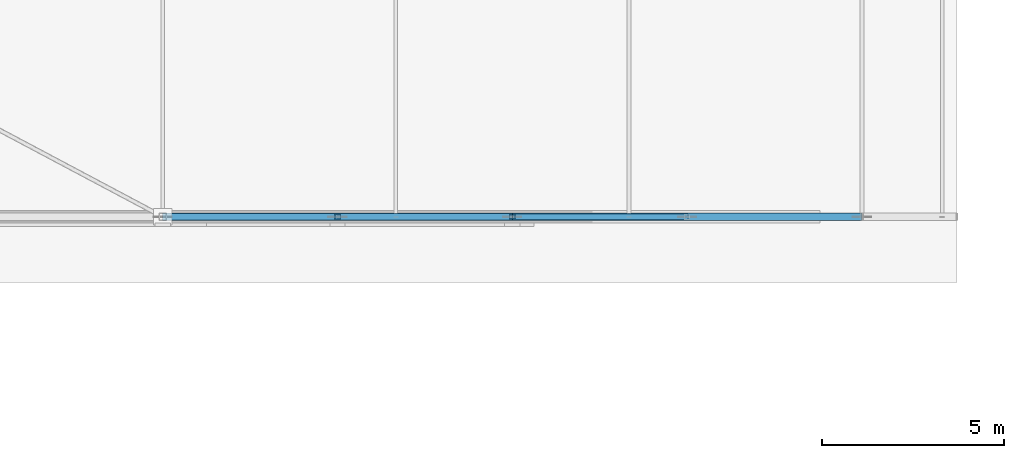
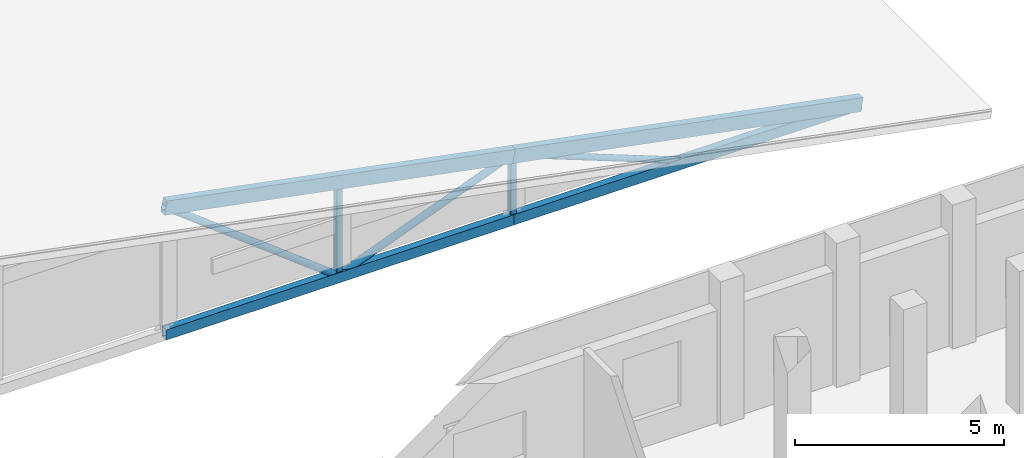
# One storey, part 28 of 200: 9 members.
"""IFC4 building model written with IfcOpenShell, lengths in metres."""

from ifc_helpers import new_model, si_unit, direction, frame, origin, origin_2d, place, context, subcontext, project, spatial, hollow_rectangle, hollow_circle, extrude, material, material_profile, profile_set, type_object, element, save


model = new_model("IFC4")

# Units and contexts
model_context = context("Model", 3, precision=1e-05, world=origin(), true_north=direction((0.0, 1.0)))
body_context = subcontext(model_context, "Body", "Model", "MODEL_VIEW")
ifc_project = project(units=[si_unit("LENGTHUNIT", "METRE"), si_unit("AREAUNIT", "SQUARE_METRE"), si_unit("VOLUMEUNIT", "CUBIC_METRE"), si_unit("PLANEANGLEUNIT", "RADIAN"), si_unit("MASSUNIT", "GRAM", prefix="KILO")], contexts=[model_context])

# Site, building, storey
site_placement = place(None, origin())
site = spatial("IfcSite", under=ifc_project, at=site_placement, CompositionType="ELEMENT")
building_placement = place(site_placement, origin())
building = spatial("IfcBuilding", under=site, at=building_placement, Name="Vondelvale Polytechnic", CompositionType="ELEMENT")
storey_placement = place(building_placement, frame((0.0, 0.0, 13.800048828125)))
storey = spatial("IfcBuildingStorey", under=building, at=storey_placement, Name="L03", CompositionType="ELEMENT", Elevation=13.800048828125)

# Members
ifc_material = material(Name="Steel C350L0 (fy = 350 MPa)", Category="steel")
ifc_material_profile_1 = material_profile(ifc_material, hollow_rectangle(XDim=0.199951171875, YDim=0.300048828125, WallThickness=0.008056640625, at=origin_2d()), Name="300x200x8.0RHS")
ifc_profile_set_1 = profile_set([ifc_material_profile_1], Name="Steel C350L0 (fy = 350 MPa)")
member_type_1 = type_object("IfcMemberType", Name="ROOF TRUSS BOT CHORD 300RHS", PredefinedType="CHORD", material=ifc_profile_set_1)
member_1_placement = place(storey_placement, frame((28.800048828125, 51.0, -0.420166015625), z_axis=(1.0, 0.0, 0.0), x_axis=(0.0, 1.0, 0.0)))
element("IfcMember", 1, at=member_1_placement, inside=storey, type_object=member_type_1, Name="ROOF TRUSS TR-01 bottom chord 2", PredefinedType="CHORD", context=body_context, shape_type="SweptSolid", body=[
    extrude(hollow_rectangle(XDim=0.199951171875, YDim=0.300048828125, WallThickness=0.008056640625, at=origin_2d()), origin(), (0.0, 0.0, 1.0), 9.599853515625),
])
member_2_placement = place(storey_placement, frame((38.39990234375, 51.0, -0.420166015625), z_axis=(1.0, 0.0, 0.0), x_axis=(0.0, 1.0, 0.0)))
element("IfcMember", 2, at=member_2_placement, inside=storey, type_object=member_type_1, Name="ROOF TRUSS TR-01 bottom chord 3", PredefinedType="CHORD", context=body_context, shape_type="SweptSolid", body=[
    extrude(hollow_rectangle(XDim=0.199951171875, YDim=0.300048828125, WallThickness=0.008056640625, at=origin_2d()), origin(), (0.0, 0.0, 1.0), 9.60009765625),
])
ifc_material_profile_2 = material_profile(ifc_material, hollow_circle(Radius=0.084228515625, WallThickness=0.00634765625, at=origin_2d()), Name="168.3x6.4CHS")
ifc_profile_set_2 = profile_set([ifc_material_profile_2], Name="Steel C350L0 (fy = 350 MPa)")
member_type_2 = type_object("IfcMemberType", Name="ROOF TRUSS BRACE 168CHS", PredefinedType="BRACE", material=ifc_profile_set_2)
member_3_placement = place(storey_placement, frame((38.39990234375, 51.0, 1.429931640625), z_axis=(0.933089727442, 0.0, -0.359643657726), x_axis=(0.0, 1.0, 0.0)))
element("IfcMember", 3, at=member_3_placement, inside=storey, type_object=member_type_2, Name="ROOF TRUSS TR-01 web diagonal 8", PredefinedType="BRACE", context=body_context, shape_type="SweptSolid", body=[
    extrude(hollow_circle(Radius=0.084228515625, WallThickness=0.00634765625, at=origin_2d()), origin(), (0.0, 0.0, 1.0), 5.144287109375),
])
ifc_material_profile_3 = material_profile(ifc_material, hollow_circle(Radius=0.096923828125, WallThickness=0.00634765625, at=origin_2d()), Name="193.7x6.4CHS")
ifc_profile_set_3 = profile_set([ifc_material_profile_3], Name="Steel C350L0 (fy = 350 MPa)")
member_type_3 = type_object("IfcMemberType", Name="ROOF TRUSS BRACE 193CHS", PredefinedType="BRACE", material=ifc_profile_set_3)
member_4_placement = place(storey_placement, frame((28.800048828125, 51.0, 3.280029296875), z_axis=(0.791997617605, 0.0, -0.610524179463), x_axis=(0.0, 1.0, 0.0)))
element("IfcMember", 4, at=member_4_placement, inside=storey, type_object=member_type_3, Name="ROOF TRUSS TR-01 web diagonal 6", PredefinedType="BRACE", context=body_context, shape_type="SweptSolid", body=[
    extrude(hollow_circle(Radius=0.096923828125, WallThickness=0.00634765625, at=origin_2d()), origin(), (0.0, 0.0, 1.0), 6.060791015625),
])
member_5_placement = place(storey_placement, frame((33.60009765625, 51.0, -0.420166015625), z_axis=(0.933083588529, 0.0, 0.359659584632), x_axis=(0.0, 1.0, 0.0)))
element("IfcMember", 5, at=member_5_placement, inside=storey, type_object=member_type_3, Name="ROOF TRUSS TR-01 web diagonal 7", PredefinedType="BRACE", context=body_context, shape_type="SweptSolid", body=[
    extrude(hollow_circle(Radius=0.096923828125, WallThickness=0.00634765625, at=origin_2d()), origin(), (0.0, 0.0, 1.0), 5.14404296875),
])
ifc_material_profile_4 = material_profile(ifc_material, hollow_rectangle(XDim=0.14990234375, YDim=0.14990234375, WallThickness=0.006103515625, at=origin_2d()), Name="150x150x6.0SHS")
ifc_profile_set_4 = profile_set([ifc_material_profile_4], Name="Steel C350L0 (fy = 350 MPa)")
member_type_4 = type_object("IfcMemberType", Name="ROOF TRUSS POST 150SHS", PredefinedType="POST", material=ifc_profile_set_4)
member_6_placement = place(storey_placement, frame((33.60009765625, 51.0, -0.420166015625), z_axis=(0.0, 0.0, 1.0), x_axis=(1.0, 0.0, 0.0)))
element("IfcMember", 6, at=member_6_placement, inside=storey, type_object=member_type_4, Name="ROOF TRUSS TR-01 vertical post 6", PredefinedType="POST", context=body_context, shape_type="SweptSolid", body=[
    extrude(hollow_rectangle(XDim=0.14990234375, YDim=0.14990234375, WallThickness=0.006103515625, at=origin_2d()), origin(), (0.0, 0.0, 1.0), 2.775146484375),
])
member_7_placement = place(storey_placement, frame((38.39990234375, 51.0, -0.420166015625), z_axis=(0.0, 0.0, 1.0), x_axis=(1.0, 0.0, 0.0)))
element("IfcMember", 7, at=member_7_placement, inside=storey, type_object=member_type_4, Name="ROOF TRUSS TR-01 vertical post 7", PredefinedType="POST", context=body_context, shape_type="SweptSolid", body=[
    extrude(hollow_rectangle(XDim=0.14990234375, YDim=0.14990234375, WallThickness=0.006103515625, at=origin_2d()), origin(), (0.0, 0.0, 1.0), 1.85009765625),
])
ifc_material_profile_5 = material_profile(ifc_material, hollow_rectangle(XDim=0.199951171875, YDim=0.39990234375, WallThickness=0.010009765625, at=origin_2d()), Name="400x200x10.0RHS")
ifc_profile_set_5 = profile_set([ifc_material_profile_5], Name="Steel C350L0 (fy = 350 MPa)")
member_type_5 = type_object("IfcMemberType", Name="ROOF TRUSS TOP CHORD 400RHS", PredefinedType="CHORD", material=ifc_profile_set_5)
member_8_placement = place(storey_placement, frame((28.800048828125, 51.0, 3.280029296875), z_axis=(0.981931024806, 0.0, -0.189239167518), x_axis=(0.0, 1.0, 0.0)))
element("IfcMember", 8, at=member_8_placement, inside=storey, type_object=member_type_5, Name="ROOF TRUSS TR-01 top chord 4", PredefinedType="CHORD", context=body_context, shape_type="SweptSolid", body=[
    extrude(hollow_rectangle(XDim=0.199951171875, YDim=0.39990234375, WallThickness=0.010009765625, at=origin_2d()), origin(), (0.0, 0.0, 1.0), 9.776611328125),
])
member_9_placement = place(storey_placement, frame((38.39990234375, 51.0, 1.429931640625), z_axis=(0.981931919064, 0.0, -0.189234527304), x_axis=(0.0, 1.0, 0.0)))
element("IfcMember", 9, at=member_9_placement, inside=storey, type_object=member_type_5, Name="ROOF TRUSS TR-01 top chord 5", PredefinedType="CHORD", context=body_context, shape_type="SweptSolid", body=[
    extrude(hollow_rectangle(XDim=0.199951171875, YDim=0.39990234375, WallThickness=0.010009765625, at=origin_2d()), origin(), (0.0, 0.0, 1.0), 9.77685546875),
])

save(model, "model.ifc")
